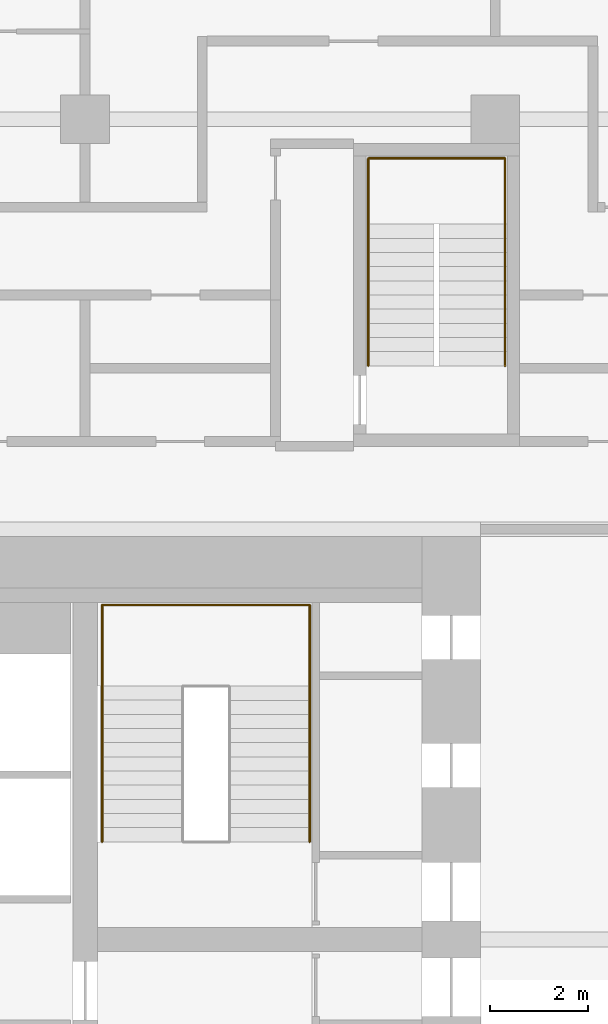
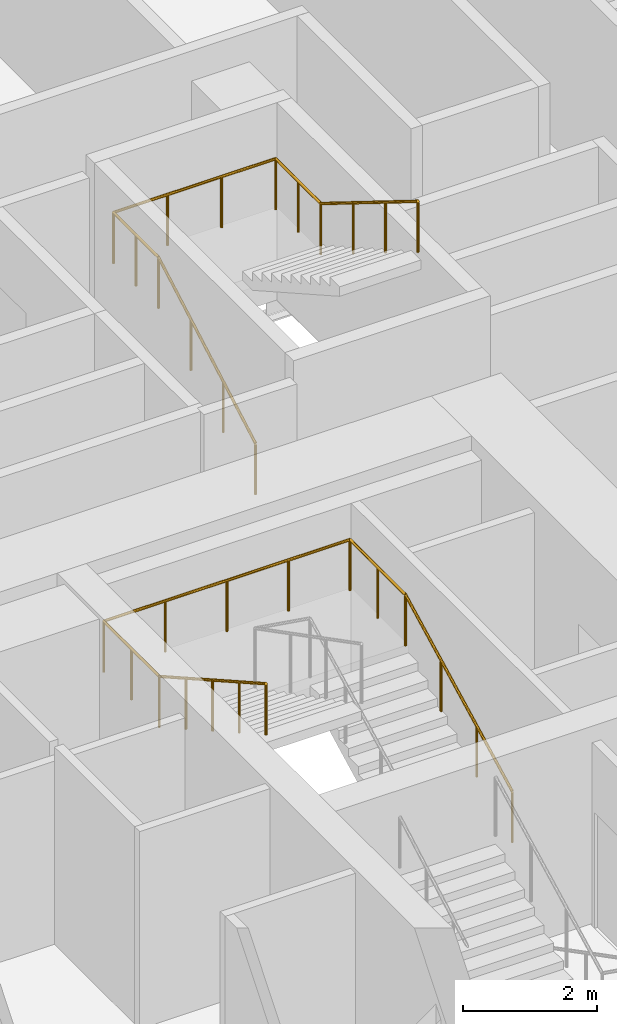
# One storey, part 38 of 38: 2 railings.
"""IFC4 building model written with IfcOpenShell, lengths in metres."""

import ifcopenshell
import ifcopenshell.guid

model = None  # the IFC model being written
_history = None  # IfcOwnerHistory: only IFC2X3 demands one
_inside = {}  # id of a spatial element -> (the spatial element, [elements in it])
_under = {}  # id of a project, library or spatial element -> (it, [spatial elements below it])
_declared = {}  # id of a project -> (the project, [libraries it declares])
_typed = {}  # id of a type object -> (the type object, [elements of that type])
_made_of = {}  # id of a material, layer set ... -> (it, [elements and type objects made of it])


def new_model(schema):
    """Start an empty IFC model of exactly this schema.

    Asked for "IFC4X3", IfcOpenShell would pick the latest addendum, in which some entities
    have other attributes; the version numbers below select the first issue.
    IFC2X3 requires an IfcOwnerHistory on every rooted entity: one is made here for all.
    """
    global model, _history
    if schema == "IFC4X3":
        model = ifcopenshell.file(schema_version=(4, 3, 0, 0))
    else:
        model = ifcopenshell.file(schema=schema)
    _inside.clear()
    _under.clear()
    _declared.clear()
    _typed.clear()
    _made_of.clear()
    _history = None
    if model.schema == "IFC2X3":
        org = make("IfcOrganization", Name="unknown")
        user = make(
            "IfcPersonAndOrganization",
            ThePerson=make("IfcPerson", FamilyName="unknown"),
            TheOrganization=org,
        )
        app = make(
            "IfcApplication",
            ApplicationDeveloper=org,
            Version="unknown",
            ApplicationFullName="unknown",
            ApplicationIdentifier="unknown",
        )
        _history = make(
            "IfcOwnerHistory",
            OwningUser=user,
            OwningApplication=app,
            ChangeAction="ADDED",
            CreationDate=0,
        )
    return model


def make(cls, **values):
    """One entity of the class cls with the attributes given. An attribute that is None is left unset."""
    return model.create_entity(
        cls, **{name: value for name, value in values.items() if value is not None}
    )


def rooted(cls, **values):
    """An entity with a GlobalId (a new one), such as an element, a storey or a relation."""
    return make(cls, GlobalId=ifcopenshell.guid.new(), OwnerHistory=_history, **values)


def si_unit(unit_type, name, prefix=None):
    """IfcSIUnit, for example si_unit("LENGTHUNIT", "METRE", prefix="MILLI")."""
    return make("IfcSIUnit", UnitType=unit_type, Prefix=prefix, Name=name)


def assignment(units):
    """IfcUnitAssignment: the units of a project."""
    return None if units is None else make("IfcUnitAssignment", Units=units)


def point(xyz):
    """IfcCartesianPoint."""
    return None if xyz is None else make("IfcCartesianPoint", Coordinates=xyz)


def direction(xyz):
    """IfcDirection."""
    return None if xyz is None else make("IfcDirection", DirectionRatios=xyz)


def frame(location, z_axis=None, x_axis=None):
    """IfcAxis2Placement3D, a coordinate frame: its origin and axes. An axis left out is left unset."""
    return make(
        "IfcAxis2Placement3D",
        Location=point(location),
        Axis=direction(z_axis),
        RefDirection=direction(x_axis),
    )


def frame_2d(location, x_axis=None):
    """IfcAxis2Placement2D, a coordinate frame in the plane: its origin and x axis."""
    return make(
        "IfcAxis2Placement2D", Location=point(location), RefDirection=direction(x_axis)
    )


def origin():
    """The frame at (0, 0, 0) with its axes left unset."""
    return frame((0.0, 0.0, 0.0))


def origin_2d():
    """The frame at (0, 0) in the plane with its x axis left unset."""
    return frame_2d((0.0, 0.0))


def place(relative_to, where):
    """IfcLocalPlacement: puts the frame where relative to a parent placement (None: the world)."""
    return make(
        "IfcLocalPlacement", PlacementRelTo=relative_to, RelativePlacement=where
    )


def context(
    kind, dimensions, precision=None, world=None, true_north=None, identifier=None
):
    """IfcGeometricRepresentationContext, for example the 3D "Model" context."""
    return make(
        "IfcGeometricRepresentationContext",
        ContextIdentifier=identifier,
        ContextType=kind,
        CoordinateSpaceDimension=dimensions,
        Precision=precision,
        WorldCoordinateSystem=world,
        TrueNorth=true_north,
    )


def subcontext(parent, identifier, kind, view, scale=None):
    """IfcGeometricRepresentationSubContext, for example "Body" below "Model"."""
    return make(
        "IfcGeometricRepresentationSubContext",
        ContextIdentifier=identifier,
        ContextType=kind,
        ParentContext=parent,
        TargetScale=scale,
        TargetView=view,
    )


def project(units=None, contexts=None):
    """IfcProject with its units and contexts."""
    return rooted(
        "IfcProject",
        Name="project",
        RepresentationContexts=contexts,
        UnitsInContext=assignment(units),
    )


def spatial(cls, under=None, at=None, **own):
    """A site, building, storey or space (cls), placed at a placement, below another one or the project."""
    s = rooted(cls, ObjectPlacement=at, **own)
    if under is not None:
        _under.setdefault(under.id(), (under, []))[1].append(s)
    return s


def profile(cls, at=None, kind="AREA", **sizes):
    """A parametric profile (cls). Its sizes go by their IFC names, for example OverallWidth=200.0."""
    return make(cls, ProfileType=kind, Position=at, **sizes)


def circle(**sizes):
    """IfcCircleProfileDef."""
    return profile("IfcCircleProfileDef", **sizes)


def extrude(swept, where, along, depth):
    """IfcExtrudedAreaSolid: the profile swept, set in the frame where, extruded along a direction by depth."""
    return make(
        "IfcExtrudedAreaSolid",
        SweptArea=swept,
        Position=where,
        ExtrudedDirection=direction(along),
        Depth=depth,
    )


def shape(context_of_items, identifier, shape_type, items):
    """IfcShapeRepresentation: the items that make up one representation, for example the "Body"."""
    return make(
        "IfcShapeRepresentation",
        ContextOfItems=context_of_items,
        RepresentationIdentifier=identifier,
        RepresentationType=shape_type,
        Items=items,
    )


def material(Name=None, Category=None):
    """IfcMaterial."""
    return make("IfcMaterial", Name=Name, Category=Category)


def made_of(thing, what):
    """Note that an element or type object is made of a material, layer set ...; save() writes the relation."""
    if what is not None:
        _made_of.setdefault(what.id(), (what, []))[1].append(thing)
    return thing


def type_object(cls, material=None, **own):
    """A type object (cls), such as IfcWallType, which elements share."""
    return made_of(rooted(cls, **own), material)


def element(
    cls,
    number,
    at=None,
    inside=None,
    cuts=None,
    type_object=None,
    material=None,
    context=None,
    identifier="Body",
    shape_type=None,
    held_by="IfcProductDefinitionShape",
    body=None,
    shapes=None,
    **own,
):
    """One element of the class cls, such as IfcWall. Its Tag is "e" and its number.

    at: its placement. inside: the storey or other place that contains it. cuts: it is an
    opening in that element (IfcRelVoidsElement). A single representation is given by context,
    identifier, shape_type and body (its items); several are given by shapes. held_by: the class
    of the entity that holds the representations. save() writes the other relations.
    """
    e = rooted(cls, Tag="e%d" % number, ObjectPlacement=at, **own)
    if body is not None:
        shapes = [shape(context, identifier, shape_type, body)]
    if shapes is not None:
        e.Representation = make(held_by, Representations=shapes)
    if inside is not None:
        _inside.setdefault(inside.id(), (inside, []))[1].append(e)
    if cuts is not None:
        rooted(
            "IfcRelVoidsElement", RelatingBuildingElement=cuts, RelatedOpeningElement=e
        )
    if type_object is not None:
        _typed.setdefault(type_object.id(), (type_object, []))[1].append(e)
    return made_of(e, material)


def aggregate(whole, parts):
    """IfcRelAggregates: a whole, such as a stair, and the parts it consists of."""
    return rooted("IfcRelAggregates", RelatingObject=whole, RelatedObjects=parts)


def save(model, path):
    """Write the relations noted so far, then the file.

    IfcRelAggregates (storeys below a building ...), IfcRelContainedInSpatialStructure (elements
    in a storey), IfcRelDefinesByType, IfcRelAssociatesMaterial and IfcRelDeclares: one each for
    every whole, place, type object, material and project.
    """
    for whole, parts in _under.values():
        aggregate(whole, parts)
    for where, things in _inside.values():
        rooted(
            "IfcRelContainedInSpatialStructure",
            RelatedElements=things,
            RelatingStructure=where,
        )
    for kind, things in _typed.values():
        rooted("IfcRelDefinesByType", RelatedObjects=things, RelatingType=kind)
    for what, things in _made_of.values():
        rooted("IfcRelAssociatesMaterial", RelatedObjects=things, RelatingMaterial=what)
    for by, libraries in _declared.values():
        rooted("IfcRelDeclares", RelatingContext=by, RelatedDefinitions=libraries)
    model.write(path)


model = new_model("IFC4")

# Units and contexts
model_context = context("Model", 3, precision=1e-05, world=origin(), true_north=direction((0.0, 1.0)))
body_context = subcontext(model_context, "Body", "Model", "MODEL_VIEW")
ifc_project = project(units=[si_unit("LENGTHUNIT", "METRE"), si_unit("AREAUNIT", "SQUARE_METRE"), si_unit("VOLUMEUNIT", "CUBIC_METRE"), si_unit("PLANEANGLEUNIT", "RADIAN"), si_unit("MASSUNIT", "GRAM", prefix="KILO")], contexts=[model_context])

# Site, building, storey
site_placement = place(None, origin())
site = spatial("IfcSite", under=ifc_project, at=site_placement, CompositionType="ELEMENT")
building_placement = place(site_placement, origin())
building = spatial("IfcBuilding", under=site, at=building_placement, Name="Marenta Gate Hotel Tower", CompositionType="ELEMENT")
storey_placement = place(building_placement, frame((0.0, 0.0, 68.89990234375)))
storey = spatial("IfcBuildingStorey", under=building, at=storey_placement, Name="L15", CompositionType="ELEMENT", Elevation=68.89990234375)

# Railings
ifc_material = material(Name="Stainless steel", Category="steel")
railing_type = type_object("IfcRailingType", Name="Core stair handrail 950", PredefinedType="HANDRAIL", material=ifc_material)
railing_1_placement = place(storey_placement, frame((8.800048828125, 10.39990234375, 0.150146484375)))
element("IfcRailing", 1, at=railing_1_placement, inside=storey, type_object=railing_type, Name="HR-950 L15-KR-ST4-1", PredefinedType="HANDRAIL", context=body_context, shape_type="SweptSolid", body=[
    extrude(circle(Radius=0.02392578125, at=origin_2d()), frame((0.0, 0.0, 0.92578125), z_axis=(0.0, 0.888239641807, 0.459380385653), x_axis=(-1.0, 0.0, 0.0)), (0.0, 0.0, 1.0), 3.591552734375),
    extrude(circle(Radius=0.02392578125, at=origin_2d()), frame((0.0, 3.190185546875, 2.57568359375), z_axis=(0.0, 1.0, 0.0), x_axis=(-1.0, 0.0, 0.0)), (0.0, 0.0, 1.0), 1.659912109375),
    extrude(circle(Radius=0.02392578125, at=origin_2d()), frame((0.0, 4.85009765625, 2.57568359375), z_axis=(-1.0, 0.0, 0.0), x_axis=(0.0, -1.0, 0.0)), (0.0, 0.0, 1.0), 4.25),
    extrude(circle(Radius=0.02392578125, at=origin_2d()), frame((-4.25, 4.85009765625, 2.57568359375), z_axis=(0.0, -1.0, 0.0), x_axis=(1.0, 0.0, 0.0)), (0.0, 0.0, 1.0), 1.659912109375),
    extrude(circle(Radius=0.02392578125, at=origin_2d()), frame((-4.25, 3.190185546875, 2.57568359375), z_axis=(0.0, -0.870925075533, 0.491415824742), x_axis=(1.0, 0.0, 0.0)), (0.0, 0.0, 1.0), 3.6630859375),
    extrude(circle(Radius=0.02099609375, at=origin_2d()), origin(), (0.0, 0.0, 1.0), 0.90185546875),
    extrude(circle(Radius=0.02099609375, at=origin_2d()), frame((0.0, 1.0634765625, 0.550048828125)), (0.0, 0.0, 1.0), 0.90185546875),
    extrude(circle(Radius=0.02099609375, at=origin_2d()), frame((0.0, 2.126708984375, 1.099853515625)), (0.0, 0.0, 1.0), 0.90185546875),
    extrude(circle(Radius=0.02099609375, at=origin_2d()), frame((0.0, 3.190185546875, 1.64990234375)), (0.0, 0.0, 1.0), 0.90185546875),
    extrude(circle(Radius=0.02099609375, at=origin_2d()), frame((0.0, 4.02001953125, 1.64990234375)), (0.0, 0.0, 1.0), 0.90185546875),
    extrude(circle(Radius=0.02099609375, at=origin_2d()), frame((0.0, 4.85009765625, 1.64990234375)), (0.0, 0.0, 1.0), 0.90185546875),
    extrude(circle(Radius=0.02099609375, at=origin_2d()), frame((-1.0625, 4.85009765625, 1.64990234375)), (0.0, 0.0, 1.0), 0.90185546875),
    extrude(circle(Radius=0.02099609375, at=origin_2d()), frame((-2.125, 4.85009765625, 1.64990234375)), (0.0, 0.0, 1.0), 0.90185546875),
    extrude(circle(Radius=0.02099609375, at=origin_2d()), frame((-3.1875, 4.85009765625, 1.64990234375)), (0.0, 0.0, 1.0), 0.90185546875),
    extrude(circle(Radius=0.02099609375, at=origin_2d()), frame((-4.25, 4.85009765625, 1.64990234375)), (0.0, 0.0, 1.0), 0.90185546875),
    extrude(circle(Radius=0.02099609375, at=origin_2d()), frame((-4.25, 4.02001953125, 1.64990234375)), (0.0, 0.0, 1.0), 0.90185546875),
    extrude(circle(Radius=0.02099609375, at=origin_2d()), frame((-4.25, 3.190185546875, 1.64990234375)), (0.0, 0.0, 1.0), 0.90185546875),
    extrude(circle(Radius=0.02099609375, at=origin_2d()), frame((-4.25, 2.392578125, 2.099853515625)), (0.0, 0.0, 1.0), 0.90185546875),
    extrude(circle(Radius=0.02099609375, at=origin_2d()), frame((-4.25, 1.59521484375, 2.5498046875)), (0.0, 0.0, 1.0), 0.90185546875),
    extrude(circle(Radius=0.02099609375, at=origin_2d()), frame((-4.25, 0.797607421875, 3.0)), (0.0, 0.0, 1.0), 0.90185546875),
    extrude(circle(Radius=0.02099609375, at=origin_2d()), frame((-4.25, 0.0, 3.449951171875)), (0.0, 0.0, 1.0), 0.90185546875),
])
railing_2_placement = place(storey_placement, frame((10.0, 20.14990234375, 0.163818359375)))
element("IfcRailing", 2, at=railing_2_placement, inside=storey, type_object=railing_type, Name="HR-950 L15-RS-Z1-4-KR-1", PredefinedType="HANDRAIL", context=body_context, shape_type="SweptSolid", body=[
    extrude(circle(Radius=0.02392578125, at=origin_2d()), frame((0.0, 0.0, 0.92578125), z_axis=(0.0, 0.870946286338, 0.49137823142), x_axis=(-1.0, 0.0, 0.0)), (0.0, 0.0, 1.0), 3.329833984375),
    extrude(circle(Radius=0.02392578125, at=origin_2d()), frame((0.0, 2.900146484375, 2.56201171875), z_axis=(0.0, 1.0, 0.0), x_axis=(-1.0, 0.0, 0.0)), (0.0, 0.0, 1.0), 1.349853515625),
    extrude(circle(Radius=0.02392578125, at=origin_2d()), frame((0.0, 4.25, 2.56201171875), z_axis=(1.0, 0.0, 0.0), x_axis=(0.0, 1.0, 0.0)), (0.0, 0.0, 1.0), 2.800048828125),
    extrude(circle(Radius=0.02392578125, at=origin_2d()), frame((2.800048828125, 4.25, 2.56201171875), z_axis=(0.0, -1.0, 0.0), x_axis=(1.0, 0.0, 0.0)), (0.0, 0.0, 1.0), 1.349853515625),
    extrude(circle(Radius=0.02392578125, at=origin_2d()), frame((2.800048828125, 2.900146484375, 2.56201171875), z_axis=(0.0, -0.849645691689, 0.527353959494), x_axis=(1.0, 0.0, 0.0)), (0.0, 0.0, 1.0), 3.413330078125),
    extrude(circle(Radius=0.02099609375, at=origin_2d()), origin(), (0.0, 0.0, 1.0), 0.90185546875),
    extrude(circle(Radius=0.02099609375, at=origin_2d()), frame((0.0, 0.966796875, 0.54541015625)), (0.0, 0.0, 1.0), 0.90185546875),
    extrude(circle(Radius=0.02099609375, at=origin_2d()), frame((0.0, 1.933349609375, 1.0908203125)), (0.0, 0.0, 1.0), 0.90185546875),
    extrude(circle(Radius=0.02099609375, at=origin_2d()), frame((0.0, 2.900146484375, 1.63623046875)), (0.0, 0.0, 1.0), 0.90185546875),
    extrude(circle(Radius=0.02099609375, at=origin_2d()), frame((0.0, 3.5751953125, 1.63623046875)), (0.0, 0.0, 1.0), 0.90185546875),
    extrude(circle(Radius=0.02099609375, at=origin_2d()), frame((0.0, 4.25, 1.63623046875)), (0.0, 0.0, 1.0), 0.90185546875),
    extrude(circle(Radius=0.02099609375, at=origin_2d()), frame((0.933349609375, 4.25, 1.63623046875)), (0.0, 0.0, 1.0), 0.90185546875),
    extrude(circle(Radius=0.02099609375, at=origin_2d()), frame((1.86669921875, 4.25, 1.63623046875)), (0.0, 0.0, 1.0), 0.90185546875),
    extrude(circle(Radius=0.02099609375, at=origin_2d()), frame((2.800048828125, 4.25, 1.63623046875)), (0.0, 0.0, 1.0), 0.90185546875),
    extrude(circle(Radius=0.02099609375, at=origin_2d()), frame((2.800048828125, 3.5751953125, 1.63623046875)), (0.0, 0.0, 1.0), 0.90185546875),
    extrude(circle(Radius=0.02099609375, at=origin_2d()), frame((2.800048828125, 2.900146484375, 1.63623046875)), (0.0, 0.0, 1.0), 0.90185546875),
    extrude(circle(Radius=0.02099609375, at=origin_2d()), frame((2.800048828125, 1.933349609375, 2.236328125)), (0.0, 0.0, 1.0), 0.90185546875),
    extrude(circle(Radius=0.02099609375, at=origin_2d()), frame((2.800048828125, 0.966796875, 2.836181640625)), (0.0, 0.0, 1.0), 0.90185546875),
    extrude(circle(Radius=0.02099609375, at=origin_2d()), frame((2.800048828125, 0.0, 3.436279296875)), (0.0, 0.0, 1.0), 0.90185546875),
])

save(model, "model.ifc")
